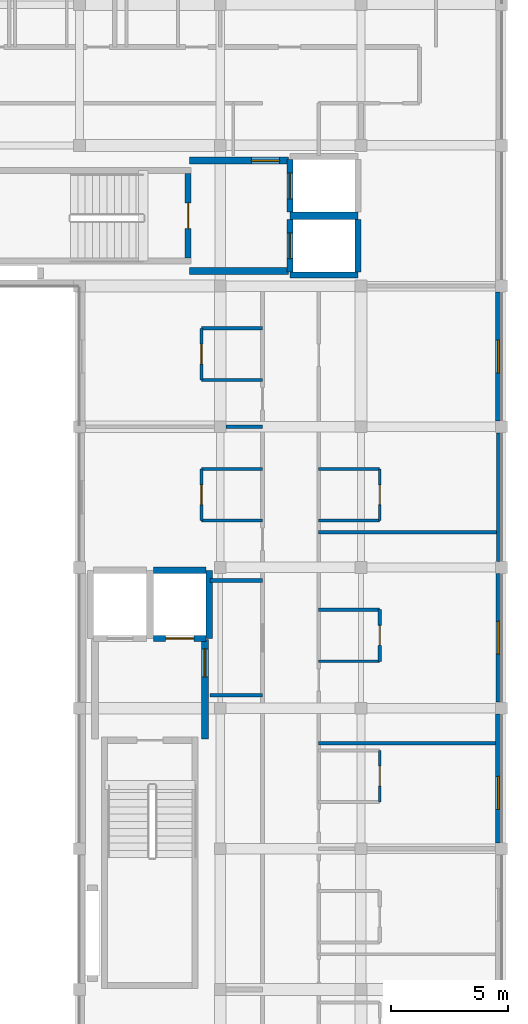
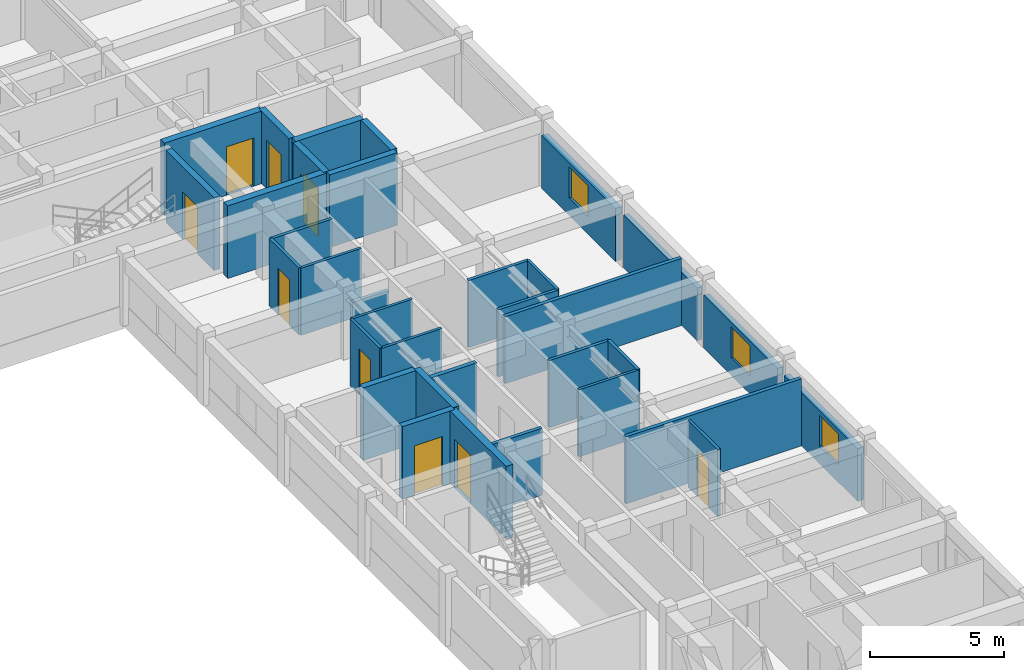
# One storey, part 8 of 14: 34 walls, 11 doors, 3 windows, 14 openings.
"""IFC4 building model written with IfcOpenShell, lengths in metres."""

from ifc_helpers import new_model, si_unit, direction, frame, frame_2d, origin, place, context, subcontext, project, spatial, rectangle, extrude, material, layer, layer_set, type_object, element, fill, save


model = new_model("IFC4")

# Units and contexts
model_context = context("Model", 3, precision=1e-05, world=origin(), true_north=direction((0.0, 1.0)))
body_context = subcontext(model_context, "Body", "Model", "MODEL_VIEW")
ifc_project = project(units=[si_unit("LENGTHUNIT", "METRE"), si_unit("AREAUNIT", "SQUARE_METRE"), si_unit("VOLUMEUNIT", "CUBIC_METRE"), si_unit("PLANEANGLEUNIT", "RADIAN"), si_unit("MASSUNIT", "GRAM", prefix="KILO"), si_unit("THERMODYNAMICTEMPERATUREUNIT", "KELVIN"), si_unit("POWERUNIT", "WATT")], contexts=[model_context])

# Site, building, storey
site_placement = place(None, origin())
site = spatial("IfcSite", under=ifc_project, at=site_placement, CompositionType="ELEMENT")
building_placement = place(site_placement, origin())
building = spatial("IfcBuilding", under=site, at=building_placement, Name="Phaisarnlok Congress Hotel", CompositionType="ELEMENT")
storey_placement = place(building_placement, frame((0.0, 0.0, 48.0)))
storey = spatial("IfcBuildingStorey", under=building, at=storey_placement, Name="L12", CompositionType="ELEMENT", Elevation=48.0)

# Wall
ifc_material_1 = material(Name="Concrete C40/50", Category="concrete")
ifc_layer_1 = layer(ifc_material_1, 0.2099609375, Name="Concrete C40/50")
ifc_layer_set_1 = layer_set([ifc_layer_1], Name="Concrete C40/50")
wall_type_1 = type_object("IfcWallType", Name="WL-EXT-210", PredefinedType="SOLIDWALL", material=ifc_layer_set_1)
wall_1_placement = place(storey_placement, frame((179.89501953125, 96.2548828125, 0.0), z_axis=(0.0, 0.0, 1.0), x_axis=(0.0, 1.0, 0.0)))
element("IfcWall", 1, at=wall_1_placement, inside=storey, type_object=wall_type_1, Name="Exterior wall EW-07 (L12)", PredefinedType="SOLIDWALL", context=body_context, shape_type="SweptSolid", body=[
    extrude(rectangle(XDim=5.490234375, YDim=0.2099609375, at=frame_2d((2.7451171875, 0.0))), origin(), (0.0, 0.0, 1.0), 2.39990234375),
])

# Wall, opening, window
ifc_layer_2 = layer(ifc_material_1, 0.22998046875, Name="Concrete C40/50")
ifc_layer_set_2 = layer_set([ifc_layer_2], Name="Concrete C40/50")
wall_type_2 = type_object("IfcWallType", Name="WL-EXT-230", PredefinedType="SOLIDWALL", material=ifc_layer_set_2)
wall_2_placement = place(storey_placement, frame((179.885009765625, 90.2548828125, 0.0), z_axis=(0.0, 0.0, 1.0), x_axis=(0.0, 1.0, 0.0)))
wall_2 = element("IfcWall", 2, at=wall_2_placement, inside=storey, type_object=wall_type_2, Name="Exterior wall EW-06 (L12)", PredefinedType="SOLIDWALL", context=body_context, shape_type="SweptSolid", body=[
    extrude(rectangle(XDim=5.490234375, YDim=0.22998046875, at=frame_2d((2.7451171875, 0.0))), origin(), (0.0, 0.0, 1.0), 2.39990234375),
])
opening_1_placement = place(wall_2_placement, frame((2.044921875, 0.0, 0.800048828125)))
opening_1 = element("IfcOpeningElement", 3, at=opening_1_placement, cuts=wall_2, Name="Opening W-13", PredefinedType="OPENING", context=body_context, shape_type="SweptSolid", body=[
    extrude(rectangle(XDim=1.39990234375, YDim=1.39990234375, at=frame_2d((0.699951171875, 0.699951171875))), frame((0.0, 0.125, 0.0), z_axis=(0.0, -1.0, 0.0), x_axis=(1.0, 0.0, 0.0)), (0.0, 0.0, 1.0), 0.25),
])
ifc_material_2 = material(Name="Thermally Broken Aluminium & Low-E Double Glazing", Category="aluminium")
window_type = type_object("IfcWindowType", Name="WIN-POD-1400", PartitioningType="SINGLE_PANEL", PredefinedType="WINDOW", material=ifc_material_2)
window_1_placement = place(opening_1_placement, origin())
window_1 = element("IfcWindow", 4, at=window_1_placement, inside=storey, type_object=window_type, Name="Guestroom window W-13 (L12)", OverallHeight=1.39990234375, OverallWidth=1.39990234375, PartitioningType="SINGLE_PANEL", PredefinedType="WINDOW", context=body_context, shape_type="SweptSolid", body=[
    extrude(rectangle(XDim=1.39990234375, YDim=1.39990234375, at=frame_2d((0.699951171875, 0.699951171875))), frame((0.0, 0.030029296875, 0.0), z_axis=(0.0, -1.0, 0.0), x_axis=(1.0, 0.0, 0.0)), (0.0, 0.0, 1.0), 0.06005859375),
])
fill(opening_1, window_1)

ifc_layer_3 = layer(ifc_material_1, 0.25, Name="Concrete C40/50")
ifc_layer_set_3 = layer_set([ifc_layer_3], Name="Concrete C40/50")
wall_type_3 = type_object("IfcWallType", Name="WL-EXT-250", PredefinedType="SOLIDWALL", material=ifc_layer_set_3)
wall_3_placement = place(storey_placement, frame((179.875, 84.2548828125, 0.0), z_axis=(0.0, 0.0, 1.0), x_axis=(0.0, 1.0, 0.0)))
wall_3 = element("IfcWall", 5, at=wall_3_placement, inside=storey, type_object=wall_type_3, Name="Exterior wall EW-05 (L12)", PredefinedType="SOLIDWALL", context=body_context, shape_type="SweptSolid", body=[
    extrude(rectangle(XDim=5.490234375, YDim=0.25, at=frame_2d((2.7451171875, 0.0))), origin(), (0.0, 0.0, 1.0), 2.39990234375),
])
opening_2_placement = place(wall_3_placement, frame((1.431884765625, 0.0, 0.800048828125)))
opening_2 = element("IfcOpeningElement", 6, at=opening_2_placement, cuts=wall_3, Name="Opening W-13", PredefinedType="OPENING", context=body_context, shape_type="SweptSolid", body=[
    extrude(rectangle(XDim=1.39990234375, YDim=1.39990234375, at=frame_2d((0.699951171875, 0.699951171875))), frame((0.0, 0.135009765625, 0.0), z_axis=(0.0, -1.0, 0.0), x_axis=(1.0, 0.0, 0.0)), (0.0, 0.0, 1.0), 0.27001953125),
])
window_2_placement = place(opening_2_placement, origin())
window_2 = element("IfcWindow", 7, at=window_2_placement, inside=storey, type_object=window_type, Name="Guestroom window W-13 (L12)", OverallHeight=1.39990234375, OverallWidth=1.39990234375, PartitioningType="SINGLE_PANEL", PredefinedType="WINDOW", context=body_context, shape_type="SweptSolid", body=[
    extrude(rectangle(XDim=1.39990234375, YDim=1.39990234375, at=frame_2d((0.699951171875, 0.699951171875))), frame((0.0, 0.030029296875, 0.0), z_axis=(0.0, -1.0, 0.0), x_axis=(1.0, 0.0, 0.0)), (0.0, 0.0, 1.0), 0.06005859375),
])
fill(opening_2, window_2)

ifc_layer_4 = layer(ifc_material_1, 0.27001953125, Name="Concrete C40/50")
ifc_layer_set_4 = layer_set([ifc_layer_4], Name="Concrete C40/50")
wall_type_4 = type_object("IfcWallType", Name="WL-EXT-270", PredefinedType="SOLIDWALL", material=ifc_layer_set_4)
wall_4_placement = place(storey_placement, frame((179.864990234375, 102.2548828125, 0.0), z_axis=(0.0, 0.0, 1.0), x_axis=(0.0, 1.0, 0.0)))
wall_4 = element("IfcWall", 8, at=wall_4_placement, inside=storey, type_object=wall_type_4, Name="Exterior wall EW-04 (L12)", PredefinedType="SOLIDWALL", context=body_context, shape_type="SweptSolid", body=[
    extrude(rectangle(XDim=5.490234375, YDim=0.27001953125, at=frame_2d((2.7451171875, 0.0))), origin(), (0.0, 0.0, 1.0), 2.39990234375),
])
opening_3_placement = place(wall_4_placement, frame((2.044921875, 0.0, 0.800048828125)))
opening_3 = element("IfcOpeningElement", 9, at=opening_3_placement, cuts=wall_4, Name="Opening W-13", PredefinedType="OPENING", context=body_context, shape_type="SweptSolid", body=[
    extrude(rectangle(XDim=1.39990234375, YDim=1.39990234375, at=frame_2d((0.699951171875, 0.699951171875))), frame((0.0, 0.14501953125, 0.0), z_axis=(0.0, -1.0, 0.0), x_axis=(1.0, 0.0, 0.0)), (0.0, 0.0, 1.0), 0.2900390625),
])
window_3_placement = place(opening_3_placement, origin())
window_3 = element("IfcWindow", 10, at=window_3_placement, inside=storey, type_object=window_type, Name="Guestroom window W-13 (L12)", OverallHeight=1.39990234375, OverallWidth=1.39990234375, PartitioningType="SINGLE_PANEL", PredefinedType="WINDOW", context=body_context, shape_type="SweptSolid", body=[
    extrude(rectangle(XDim=1.39990234375, YDim=1.39990234375, at=frame_2d((0.699951171875, 0.699951171875))), frame((0.0, 0.030029296875, 0.0), z_axis=(0.0, -1.0, 0.0), x_axis=(1.0, 0.0, 0.0)), (0.0, 0.0, 1.0), 0.06005859375),
])
fill(opening_3, window_3)

# Wall, opening, door
ifc_material_3 = material(Name="Lightweight Metal-Stud Gypsum Partition", Category="gypsum")
ifc_layer_5 = layer(ifc_material_3, 0.1201171875, Name="Lightweight Metal-Stud Gypsum Partition")
ifc_layer_set_5 = layer_set([ifc_layer_5], Name="Lightweight Metal-Stud Gypsum Partition")
wall_type_5 = type_object("IfcWallType", Name="WL-INT-120", PredefinedType="PARTITIONING", material=ifc_layer_set_5)
wall_5_placement = place(storey_placement, frame((167.199951171875, 98.0, 0.0), z_axis=(0.0, 0.0, 1.0), x_axis=(0.0, 1.0, 0.0)))
wall_5 = element("IfcWall", 11, at=wall_5_placement, inside=storey, type_object=wall_type_5, Name="Interior partition wall IW-07 (L12)", PredefinedType="PARTITIONING", context=body_context, shape_type="SweptSolid", body=[
    extrude(rectangle(XDim=2.199951171875, YDim=0.1201171875, at=frame_2d((1.10009765625, 0.0))), origin(), (0.0, 0.0, 1.0), 3.050048828125),
])
opening_4_placement = place(wall_5_placement, frame((0.675048828125, 0.0, 0.0)))
opening_4 = element("IfcOpeningElement", 12, at=opening_4_placement, cuts=wall_5, Name="Opening D-0720", PredefinedType="OPENING", context=body_context, shape_type="SweptSolid", body=[
    extrude(rectangle(XDim=0.85009765625, YDim=2.10009765625, at=frame_2d((0.425048828125, 1.050048828125))), frame((0.0, 0.070068359375, 0.0), z_axis=(0.0, -1.0, 0.0), x_axis=(1.0, 0.0, 0.0)), (0.0, 0.0, 1.0), 0.14013671875),
])
ifc_material_4 = material(Name="Moisture-Resistant Lacquered Timber", Category="wood")
door_type_1 = type_object("IfcDoorType", Name="DR-BATH-850", OperationType="NOTDEFINED", PredefinedType="DOOR", material=ifc_material_4)
door_1_placement = place(opening_4_placement, origin())
door_1 = element("IfcDoor", 13, at=door_1_placement, inside=storey, type_object=door_type_1, Name="Interior door D-0720 (L12)", OperationType="SINGLE_SWING_LEFT", OverallHeight=2.10009765625, OverallWidth=0.85009765625, PredefinedType="DOOR", context=body_context, shape_type="SweptSolid", body=[
    extrude(rectangle(XDim=0.85009765625, YDim=2.10009765625, at=frame_2d((0.425048828125, 1.050048828125))), frame((0.0, 0.02490234375, 0.0), z_axis=(0.0, -1.0, 0.0), x_axis=(1.0, 0.0, 0.0)), (0.0, 0.0, 1.0), 0.050048828125),
])
fill(opening_4, door_1)

wall_6_placement = place(storey_placement, frame((174.800048828125, 86.0, 0.0), z_axis=(0.0, 0.0, 1.0), x_axis=(0.0, 1.0, 0.0)))
wall_6 = element("IfcWall", 14, at=wall_6_placement, inside=storey, type_object=wall_type_5, Name="Interior partition wall IW-07 (L12)", PredefinedType="PARTITIONING", context=body_context, shape_type="SweptSolid", body=[
    extrude(rectangle(XDim=2.199951171875, YDim=0.1201171875, at=frame_2d((1.10009765625, 0.0))), origin(), (0.0, 0.0, 1.0), 3.050048828125),
])
opening_5_placement = place(wall_6_placement, frame((0.675048828125, 0.0, 0.0)))
opening_5 = element("IfcOpeningElement", 15, at=opening_5_placement, cuts=wall_6, Name="Opening D-0709", PredefinedType="OPENING", context=body_context, shape_type="SweptSolid", body=[
    extrude(rectangle(XDim=0.85009765625, YDim=2.10009765625, at=frame_2d((0.425048828125, 1.050048828125))), frame((0.0, 0.070068359375, 0.0), z_axis=(0.0, -1.0, 0.0), x_axis=(1.0, 0.0, 0.0)), (0.0, 0.0, 1.0), 0.14013671875),
])
door_2_placement = place(opening_5_placement, origin())
door_2 = element("IfcDoor", 16, at=door_2_placement, inside=storey, type_object=door_type_1, Name="Interior door D-0709 (L12)", OperationType="SINGLE_SWING_RIGHT", OverallHeight=2.10009765625, OverallWidth=0.85009765625, PredefinedType="DOOR", context=body_context, shape_type="SweptSolid", body=[
    extrude(rectangle(XDim=0.85009765625, YDim=2.10009765625, at=frame_2d((0.425048828125, 1.050048828125))), frame((0.0, 0.02490234375, 0.0), z_axis=(0.0, -1.0, 0.0), x_axis=(1.0, 0.0, 0.0)), (0.0, 0.0, 1.0), 0.050048828125),
])
fill(opening_5, door_2)

wall_7_placement = place(storey_placement, frame((174.800048828125, 98.0, 0.0), z_axis=(0.0, 0.0, 1.0), x_axis=(0.0, 1.0, 0.0)))
wall_7 = element("IfcWall", 17, at=wall_7_placement, inside=storey, type_object=wall_type_5, Name="Interior partition wall IW-07 (L12)", PredefinedType="PARTITIONING", context=body_context, shape_type="SweptSolid", body=[
    extrude(rectangle(XDim=2.199951171875, YDim=0.1201171875, at=frame_2d((1.10009765625, 0.0))), origin(), (0.0, 0.0, 1.0), 3.050048828125),
])
opening_6_placement = place(wall_7_placement, frame((0.675048828125, 0.0, 0.0)))
opening_6 = element("IfcOpeningElement", 18, at=opening_6_placement, cuts=wall_7, Name="Opening D-0713", PredefinedType="OPENING", context=body_context, shape_type="SweptSolid", body=[
    extrude(rectangle(XDim=0.85009765625, YDim=2.10009765625, at=frame_2d((0.425048828125, 1.050048828125))), frame((0.0, 0.070068359375, 0.0), z_axis=(0.0, -1.0, 0.0), x_axis=(1.0, 0.0, 0.0)), (0.0, 0.0, 1.0), 0.14013671875),
])
door_3_placement = place(opening_6_placement, origin())
door_3 = element("IfcDoor", 19, at=door_3_placement, inside=storey, type_object=door_type_1, Name="Interior door D-0713 (L12)", OperationType="SINGLE_SWING_RIGHT", OverallHeight=2.10009765625, OverallWidth=0.85009765625, PredefinedType="DOOR", context=body_context, shape_type="SweptSolid", body=[
    extrude(rectangle(XDim=0.85009765625, YDim=2.10009765625, at=frame_2d((0.425048828125, 1.050048828125))), frame((0.0, 0.02490234375, 0.0), z_axis=(0.0, -1.0, 0.0), x_axis=(1.0, 0.0, 0.0)), (0.0, 0.0, 1.0), 0.050048828125),
])
fill(opening_6, door_3)

# Walls
for number, where, z_axis, x_axis, name in (
    (20, (172.199951171875, 92.0, 0.0), (0.0, 0.0, 1.0), (1.0, 0.0, 0.0), "Interior partition wall IW-07 (L12)"),
    (21, (167.199951171875, 98.0, 0.0), (0.0, 0.0, 1.0), (1.0, 0.0, 0.0), "Interior partition wall IW-07 (L12)"),
    (22, (167.199951171875, 100.199951171875, 0.0), (0.0, 0.0, 1.0), (1.0, 0.0, 0.0), "Interior partition wall IW-07 (L12)"),
    (23, (167.199951171875, 104.0, 0.0), (0.0, 0.0, 1.0), (1.0, 0.0, 0.0), "Interior partition wall IW-07 (L12)"),
):
    element("IfcWall", number, at=place(storey_placement, frame(where, z_axis=z_axis, x_axis=x_axis)), inside=storey, type_object=wall_type_5, Name=name, PredefinedType="PARTITIONING", context=body_context, shape_type="SweptSolid", body=[
        extrude(rectangle(XDim=2.60009765625, YDim=0.1201171875, at=frame_2d((1.300048828125, 0.0))), origin(), (0.0, 0.0, 1.0), 3.050048828125),
    ])

# Wall, opening, door
ifc_material_5 = material(Name="Moisture-Resistant Gypsum Partition", Category="gypsum")
ifc_layer_6 = layer(ifc_material_5, 0.135009765625, Name="Moisture-Resistant Gypsum Partition")
ifc_layer_set_6 = layer_set([ifc_layer_6], Name="Moisture-Resistant Gypsum Partition")
wall_type_6 = type_object("IfcWallType", Name="WL-INT-135", PredefinedType="PARTITIONING", material=ifc_layer_set_6)
wall_8_placement = place(storey_placement, frame((167.199951171875, 104.0, 0.0), z_axis=(0.0, 0.0, 1.0), x_axis=(0.0, 1.0, 0.0)))
wall_8 = element("IfcWall", 24, at=wall_8_placement, inside=storey, type_object=wall_type_6, Name="Interior partition wall IW-06 (L12)", PredefinedType="PARTITIONING", context=body_context, shape_type="SweptSolid", body=[
    extrude(rectangle(XDim=2.199951171875, YDim=0.135009765625, at=frame_2d((1.10009765625, 0.0))), origin(), (0.0, 0.0, 1.0), 3.050048828125),
])
opening_7_placement = place(wall_8_placement, frame((0.675048828125, 0.0, 0.0)))
opening_7 = element("IfcOpeningElement", 25, at=opening_7_placement, cuts=wall_8, Name="Opening D-0722", PredefinedType="OPENING", context=body_context, shape_type="SweptSolid", body=[
    extrude(rectangle(XDim=0.85009765625, YDim=2.10009765625, at=frame_2d((0.425048828125, 1.050048828125))), frame((0.0, 0.07763671875, 0.0), z_axis=(0.0, -1.0, 0.0), x_axis=(1.0, 0.0, 0.0)), (0.0, 0.0, 1.0), 0.155029296875),
])
door_4_placement = place(opening_7_placement, origin())
door_4 = element("IfcDoor", 26, at=door_4_placement, inside=storey, type_object=door_type_1, Name="Interior door D-0722 (L12)", OperationType="SINGLE_SWING_LEFT", OverallHeight=2.10009765625, OverallWidth=0.85009765625, PredefinedType="DOOR", context=body_context, shape_type="SweptSolid", body=[
    extrude(rectangle(XDim=0.85009765625, YDim=2.10009765625, at=frame_2d((0.425048828125, 1.050048828125))), frame((0.0, 0.02490234375, 0.0), z_axis=(0.0, -1.0, 0.0), x_axis=(1.0, 0.0, 0.0)), (0.0, 0.0, 1.0), 0.050048828125),
])
fill(opening_7, door_4)

wall_9_placement = place(storey_placement, frame((174.800048828125, 92.0, 0.0), z_axis=(0.0, 0.0, 1.0), x_axis=(0.0, 1.0, 0.0)))
wall_9 = element("IfcWall", 27, at=wall_9_placement, inside=storey, type_object=wall_type_6, Name="Interior partition wall IW-06 (L12)", PredefinedType="PARTITIONING", context=body_context, shape_type="SweptSolid", body=[
    extrude(rectangle(XDim=2.199951171875, YDim=0.135009765625, at=frame_2d((1.10009765625, 0.0))), origin(), (0.0, 0.0, 1.0), 3.050048828125),
])
opening_8_placement = place(wall_9_placement, frame((0.675048828125, 0.0, 0.0)))
opening_8 = element("IfcOpeningElement", 28, at=opening_8_placement, cuts=wall_9, Name="Opening D-0711", PredefinedType="OPENING", context=body_context, shape_type="SweptSolid", body=[
    extrude(rectangle(XDim=0.85009765625, YDim=2.10009765625, at=frame_2d((0.425048828125, 1.050048828125))), frame((0.0, 0.07763671875, 0.0), z_axis=(0.0, -1.0, 0.0), x_axis=(1.0, 0.0, 0.0)), (0.0, 0.0, 1.0), 0.155029296875),
])
door_5_placement = place(opening_8_placement, origin())
door_5 = element("IfcDoor", 29, at=door_5_placement, inside=storey, type_object=door_type_1, Name="Interior door D-0711 (L12)", OperationType="SINGLE_SWING_RIGHT", OverallHeight=2.10009765625, OverallWidth=0.85009765625, PredefinedType="DOOR", context=body_context, shape_type="SweptSolid", body=[
    extrude(rectangle(XDim=0.85009765625, YDim=2.10009765625, at=frame_2d((0.425048828125, 1.050048828125))), frame((0.0, 0.02490234375, 0.0), z_axis=(0.0, -1.0, 0.0), x_axis=(1.0, 0.0, 0.0)), (0.0, 0.0, 1.0), 0.050048828125),
])
fill(opening_8, door_5)

# Walls
for number, where, z_axis, x_axis, name in (
    (30, (172.199951171875, 94.199951171875, 0.0), (0.0, 0.0, 1.0), (1.0, 0.0, 0.0), "Interior partition wall IW-06 (L12)"),
    (31, (172.199951171875, 98.0, 0.0), (0.0, 0.0, 1.0), (1.0, 0.0, 0.0), "Interior partition wall IW-06 (L12)"),
    (32, (172.199951171875, 100.199951171875, 0.0), (0.0, 0.0, 1.0), (1.0, 0.0, 0.0), "Interior partition wall IW-06 (L12)"),
    (33, (167.199951171875, 106.199951171875, 0.0), (0.0, 0.0, 1.0), (1.0, 0.0, 0.0), "Interior partition wall IW-06 (L12)"),
):
    element("IfcWall", number, at=place(storey_placement, frame(where, z_axis=z_axis, x_axis=x_axis)), inside=storey, type_object=wall_type_6, Name=name, PredefinedType="PARTITIONING", context=body_context, shape_type="SweptSolid", body=[
        extrude(rectangle(XDim=2.60009765625, YDim=0.135009765625, at=frame_2d((1.300048828125, 0.0))), origin(), (0.0, 0.0, 1.0), 3.050048828125),
    ])
ifc_material_6 = material(Name="Acoustic Gypsum Board & Mineral Wool", Category="gypsum")
ifc_layer_7 = layer(ifc_material_6, 0.14990234375, Name="Acoustic Gypsum Board & Mineral Wool")
ifc_layer_set_7 = layer_set([ifc_layer_7], Name="Acoustic Gypsum Board & Mineral Wool")
wall_type_7 = type_object("IfcWallType", Name="WL-INT-150", PredefinedType="PARTITIONING", material=ifc_layer_set_7)
wall_10_placement = place(storey_placement, frame((167.56005859375, 90.550048828125, 0.0), z_axis=(0.0, 0.0, 1.0), x_axis=(1.0, 0.0, 0.0)))
element("IfcWall", 34, at=wall_10_placement, inside=storey, type_object=wall_type_7, Name="Interior partition wall IW-05 (L12)", PredefinedType="PARTITIONING", context=body_context, shape_type="SweptSolid", body=[
    extrude(rectangle(XDim=2.239990234375, YDim=0.14990234375, at=frame_2d((1.1201171875, 0.0))), origin(), (0.0, 0.0, 1.0), 3.050048828125),
])
wall_11_placement = place(storey_placement, frame((168.2548828125, 102.0, 0.0), z_axis=(0.0, 0.0, 1.0), x_axis=(1.0, 0.0, 0.0)))
element("IfcWall", 35, at=wall_11_placement, inside=storey, type_object=wall_type_7, Name="Interior partition wall IW-05 (L12)", PredefinedType="PARTITIONING", context=body_context, shape_type="SweptSolid", body=[
    extrude(rectangle(XDim=1.545166015625, YDim=0.14990234375, at=frame_2d((0.7724609375, 0.0))), origin(), (0.0, 0.0, 1.0), 2.35009765625),
])
ifc_material_7 = material(Name="Double-Stud Acoustic Gypsum Partition", Category="gypsum")
ifc_layer_8 = layer(ifc_material_7, 0.159912109375, Name="Double-Stud Acoustic Gypsum Partition")
ifc_layer_set_8 = layer_set([ifc_layer_8], Name="Double-Stud Acoustic Gypsum Partition")
wall_type_8 = type_object("IfcWallType", Name="WL-INT-160", PredefinedType="PARTITIONING", material=ifc_layer_set_8)
wall_12_placement = place(storey_placement, frame((172.199951171875, 88.5, 0.0), z_axis=(0.0, 0.0, 1.0), x_axis=(1.0, 0.0, 0.0)))
element("IfcWall", 36, at=wall_12_placement, inside=storey, type_object=wall_type_8, Name="Interior partition wall IW-04 (L12)", PredefinedType="PARTITIONING", context=body_context, shape_type="SweptSolid", body=[
    extrude(rectangle(XDim=7.545166015625, YDim=0.159912109375, at=frame_2d((3.7724609375, 0.0))), origin(), (0.0, 0.0, 1.0), 3.050048828125),
])
wall_13_placement = place(storey_placement, frame((172.199951171875, 97.5, 0.0), z_axis=(0.0, 0.0, 1.0), x_axis=(1.0, 0.0, 0.0)))
element("IfcWall", 37, at=wall_13_placement, inside=storey, type_object=wall_type_8, Name="Interior partition wall IW-04 (L12)", PredefinedType="PARTITIONING", context=body_context, shape_type="SweptSolid", body=[
    extrude(rectangle(XDim=7.5849609375, YDim=0.159912109375, at=frame_2d((3.79248046875, 0.0))), origin(), (0.0, 0.0, 1.0), 3.050048828125),
])
ifc_material_8 = material(Name="Autoclaved Aerated Concrete Block", Category="concrete")
ifc_layer_9 = layer(ifc_material_8, 0.179931640625, Name="Autoclaved Aerated Concrete Block")
ifc_layer_set_9 = layer_set([ifc_layer_9], Name="Autoclaved Aerated Concrete Block")
wall_type_9 = type_object("IfcWallType", Name="WL-INT-180", PredefinedType="PARTITIONING", material=ifc_layer_set_9)
wall_14_placement = place(storey_placement, frame((167.56005859375, 95.449951171875, 0.0), z_axis=(0.0, 0.0, 1.0), x_axis=(1.0, 0.0, 0.0)))
element("IfcWall", 38, at=wall_14_placement, inside=storey, type_object=wall_type_9, Name="Interior partition wall IW-03 (L12)", PredefinedType="PARTITIONING", context=body_context, shape_type="SweptSolid", body=[
    extrude(rectangle(XDim=2.239990234375, YDim=0.179931640625, at=frame_2d((1.1201171875, 0.0))), origin(), (0.0, 0.0, 1.0), 3.050048828125),
])

# Wall, opening, door
ifc_material_9 = material(Name="Concrete C50/60", Category="concrete")
ifc_layer_10 = layer(ifc_material_9, 0.260009765625, Name="Concrete C50/60")
ifc_layer_set_10 = layer_set([ifc_layer_10], Name="Concrete C50/60")
wall_type_10 = type_object("IfcWallType", Name="WL-SHR-260", PredefinedType="SHEAR", material=ifc_layer_set_10)
wall_15_placement = place(storey_placement, frame((166.6298828125, 109.199951171875, 0.0), z_axis=(0.0, 0.0, 1.0), x_axis=(0.0, 1.0, 0.0)))
wall_15 = element("IfcWall", 39, at=wall_15_placement, inside=storey, type_object=wall_type_10, Name="Stair shaft shear wall SW-04 (CORE-1 L12)", PredefinedType="SHEAR", context=body_context, shape_type="SweptSolid", body=[
    extrude(rectangle(XDim=3.60009765625, YDim=0.260009765625, at=frame_2d((1.800048828125, 0.0))), origin(), (0.0, 0.0, 1.0), 3.300048828125),
])
opening_9_placement = place(wall_15_placement, frame((1.25, 0.0, 0.0)))
opening_9 = element("IfcOpeningElement", 40, at=opening_9_placement, cuts=wall_15, Name="Opening FD-014", PredefinedType="OPENING", context=body_context, shape_type="SweptSolid", body=[
    extrude(rectangle(XDim=1.10009765625, YDim=2.14990234375, at=frame_2d((0.550048828125, 1.074951171875))), frame((0.0, 0.14013671875, 0.0), z_axis=(0.0, -1.0, 0.0), x_axis=(1.0, 0.0, 0.0)), (0.0, 0.0, 1.0), 0.280029296875),
])
ifc_material_10 = material(Name="Fire-Rated Steel Frame & Timber Leaf", Category="steel")
door_type_2 = type_object("IfcDoorType", Name="DR-FD60-1100", OperationType="NOTDEFINED", PredefinedType="DOOR", material=ifc_material_10)
door_6_placement = place(opening_9_placement, origin())
door_6 = element("IfcDoor", 41, at=door_6_placement, inside=storey, type_object=door_type_2, Name="Stair enclosure fire door FD-014 (L12)", OperationType="SINGLE_SWING_LEFT", OverallHeight=2.14990234375, OverallWidth=1.10009765625, PredefinedType="DOOR", context=body_context, shape_type="SweptSolid", body=[
    extrude(rectangle(XDim=1.10009765625, YDim=2.14990234375, at=frame_2d((0.550048828125, 1.074951171875))), frame((0.0, 0.02490234375, 0.0), z_axis=(0.0, -1.0, 0.0), x_axis=(1.0, 0.0, 0.0)), (0.0, 0.0, 1.0), 0.050048828125),
])
fill(opening_9, door_6)

# Walls
wall_16_placement = place(storey_placement, frame((170.969970703125, 108.469970703125, 0.0), z_axis=(0.0, 0.0, 1.0), x_axis=(1.0, 0.0, 0.0)))
element("IfcWall", 42, at=wall_16_placement, inside=storey, type_object=wall_type_10, Name="Lift shaft shear wall SW-04 (LF-FF1 L12)", PredefinedType="SHEAR", context=body_context, shape_type="SweptSolid", body=[
    extrude(rectangle(XDim=2.909912109375, YDim=0.260009765625, at=frame_2d((1.455078125, 0.0))), origin(), (0.0, 0.0, 1.0), 3.300048828125),
])
wall_17_placement = place(storey_placement, frame((173.8798828125, 108.60009765625, 0.0), z_axis=(0.0, 0.0, 1.0), x_axis=(0.0, 1.0, 0.0)))
element("IfcWall", 43, at=wall_17_placement, inside=storey, type_object=wall_type_10, Name="Lift shaft shear wall SW-04 (LF-FF1 L12)", PredefinedType="SHEAR", context=body_context, shape_type="SweptSolid", body=[
    extrude(rectangle(XDim=2.25, YDim=0.260009765625, at=frame_2d((1.125, 0.0))), origin(), (0.0, 0.0, 1.0), 3.300048828125),
])

# Wall, opening, door
wall_18_placement = place(storey_placement, frame((170.969970703125, 108.60009765625, 0.0), z_axis=(0.0, 0.0, 1.0), x_axis=(0.0, 1.0, 0.0)))
wall_18 = element("IfcWall", 44, at=wall_18_placement, inside=storey, type_object=wall_type_10, Name="Lift shaft front wall SW-04 (LF-FF1 L12)", PredefinedType="SHEAR", context=body_context, shape_type="SweptSolid", body=[
    extrude(rectangle(XDim=2.25, YDim=0.260009765625, at=frame_2d((1.125, 0.0))), origin(), (0.0, 0.0, 1.0), 3.300048828125),
])
opening_10_placement = place(wall_18_placement, frame((0.574951171875, 0.0, 0.0)))
opening_10 = element("IfcOpeningElement", 45, at=opening_10_placement, cuts=wall_18, Name="Opening LD-014", PredefinedType="OPENING", context=body_context, shape_type="SweptSolid", body=[
    extrude(rectangle(XDim=1.10009765625, YDim=2.199951171875, at=frame_2d((0.550048828125, 1.10009765625))), frame((0.0, 0.14013671875, 0.0), z_axis=(0.0, -1.0, 0.0), x_axis=(1.0, 0.0, 0.0)), (0.0, 0.0, 1.0), 0.280029296875),
])
ifc_material_11 = material(Name="Brushed Stainless Steel Grade 304", Category="steel")
door_type_3 = type_object("IfcDoorType", Name="DR-LD-1100", OperationType="DOUBLE_DOOR_SLIDING", PredefinedType="DOOR", material=ifc_material_11)
door_7_placement = place(opening_10_placement, origin())
door_7 = element("IfcDoor", 46, at=door_7_placement, inside=storey, type_object=door_type_3, Name="Lift landing sliding door LD-014 (LF-FF1 L12)", OperationType="DOUBLE_DOOR_SLIDING", OverallHeight=2.199951171875, OverallWidth=1.10009765625, PredefinedType="DOOR", context=body_context, shape_type="SweptSolid", body=[
    extrude(rectangle(XDim=1.10009765625, YDim=2.199951171875, at=frame_2d((0.550048828125, 1.10009765625))), frame((0.0, 0.02490234375, 0.0), z_axis=(0.0, -1.0, 0.0), x_axis=(1.0, 0.0, 0.0)), (0.0, 0.0, 1.0), 0.050048828125),
])
fill(opening_10, door_7)

wall_19_placement = place(storey_placement, frame((170.969970703125, 111.14990234375, 0.0), z_axis=(0.0, 0.0, 1.0), x_axis=(0.0, 1.0, 0.0)))
wall_19 = element("IfcWall", 47, at=wall_19_placement, inside=storey, type_object=wall_type_10, Name="Lift shaft front wall SW-04 (LF-HP1 L12)", PredefinedType="SHEAR", context=body_context, shape_type="SweptSolid", body=[
    extrude(rectangle(XDim=2.25, YDim=0.260009765625, at=frame_2d((1.125, 0.0))), origin(), (0.0, 0.0, 1.0), 3.300048828125),
])
opening_11_placement = place(wall_19_placement, frame((0.574951171875, 0.0, 0.0)))
opening_11 = element("IfcOpeningElement", 48, at=opening_11_placement, cuts=wall_19, Name="Opening LD-029", PredefinedType="OPENING", context=body_context, shape_type="SweptSolid", body=[
    extrude(rectangle(XDim=1.10009765625, YDim=2.199951171875, at=frame_2d((0.550048828125, 1.10009765625))), frame((0.0, 0.14013671875, 0.0), z_axis=(0.0, -1.0, 0.0), x_axis=(1.0, 0.0, 0.0)), (0.0, 0.0, 1.0), 0.280029296875),
])
door_8_placement = place(opening_11_placement, origin())
door_8 = element("IfcDoor", 49, at=door_8_placement, inside=storey, type_object=door_type_3, Name="Lift landing sliding door LD-029 (LF-HP1 L12)", OperationType="DOUBLE_DOOR_SLIDING", OverallHeight=2.199951171875, OverallWidth=1.10009765625, PredefinedType="DOOR", context=body_context, shape_type="SweptSolid", body=[
    extrude(rectangle(XDim=1.10009765625, YDim=2.199951171875, at=frame_2d((0.550048828125, 1.10009765625))), frame((0.0, 0.02490234375, 0.0), z_axis=(0.0, -1.0, 0.0), x_axis=(1.0, 0.0, 0.0)), (0.0, 0.0, 1.0), 0.050048828125),
])
fill(opening_11, door_8)

# Walls
wall_20_placement = place(storey_placement, frame((167.530029296875, 92.969970703125, 0.0), z_axis=(0.0, 0.0, 1.0), x_axis=(0.0, 1.0, 0.0)))
element("IfcWall", 50, at=wall_20_placement, inside=storey, type_object=wall_type_10, Name="Lift shaft shear wall SW-04 (LF-SV1 L12)", PredefinedType="SHEAR", context=body_context, shape_type="SweptSolid", body=[
    extrude(rectangle(XDim=2.909912109375, YDim=0.260009765625, at=frame_2d((1.455078125, 0.0))), origin(), (0.0, 0.0, 1.0), 3.300048828125),
])
wall_21_placement = place(storey_placement, frame((165.14990234375, 95.8798828125, 0.0), z_axis=(0.0, 0.0, 1.0), x_axis=(1.0, 0.0, 0.0)))
element("IfcWall", 51, at=wall_21_placement, inside=storey, type_object=wall_type_10, Name="Lift shaft shear wall SW-04 (LF-SV1 L12)", PredefinedType="SHEAR", context=body_context, shape_type="SweptSolid", body=[
    extrude(rectangle(XDim=2.25, YDim=0.260009765625, at=frame_2d((1.125, 0.0))), origin(), (0.0, 0.0, 1.0), 3.300048828125),
])

# Wall, opening, door
wall_22_placement = place(storey_placement, frame((165.14990234375, 92.969970703125, 0.0), z_axis=(0.0, 0.0, 1.0), x_axis=(1.0, 0.0, 0.0)))
wall_22 = element("IfcWall", 52, at=wall_22_placement, inside=storey, type_object=wall_type_10, Name="Lift shaft front wall SW-04 (LF-SV1 L12)", PredefinedType="SHEAR", context=body_context, shape_type="SweptSolid", body=[
    extrude(rectangle(XDim=2.25, YDim=0.260009765625, at=frame_2d((1.125, 0.0))), origin(), (0.0, 0.0, 1.0), 3.300048828125),
])
opening_12_placement = place(wall_22_placement, frame((0.52490234375, 0.0, 0.0)))
opening_12 = element("IfcOpeningElement", 53, at=opening_12_placement, cuts=wall_22, Name="Opening LD-089", PredefinedType="OPENING", context=body_context, shape_type="SweptSolid", body=[
    extrude(rectangle(XDim=1.199951171875, YDim=2.25, at=frame_2d((0.60009765625, 1.125))), frame((0.0, 0.14013671875, 0.0), z_axis=(0.0, -1.0, 0.0), x_axis=(1.0, 0.0, 0.0)), (0.0, 0.0, 1.0), 0.280029296875),
])
door_type_4 = type_object("IfcDoorType", Name="DR-LD-1200", OperationType="DOUBLE_DOOR_SLIDING", PredefinedType="DOOR", material=ifc_material_11)
door_9_placement = place(opening_12_placement, origin())
door_9 = element("IfcDoor", 54, at=door_9_placement, inside=storey, type_object=door_type_4, Name="Lift landing sliding door LD-089 (LF-SV1 L12)", OperationType="DOUBLE_DOOR_SLIDING", OverallHeight=2.25, OverallWidth=1.199951171875, PredefinedType="DOOR", context=body_context, shape_type="SweptSolid", body=[
    extrude(rectangle(XDim=1.199951171875, YDim=2.25, at=frame_2d((0.60009765625, 1.125))), frame((0.0, 0.02490234375, 0.0), z_axis=(0.0, -1.0, 0.0), x_axis=(1.0, 0.0, 0.0)), (0.0, 0.0, 1.0), 0.050048828125),
])
fill(opening_12, door_9)

# Wall
ifc_layer_11 = layer(ifc_material_9, 0.300048828125, Name="Concrete C50/60")
ifc_layer_set_11 = layer_set([ifc_layer_11], Name="Concrete C50/60")
wall_type_11 = type_object("IfcWallType", Name="WL-SHR-300", PredefinedType="SHEAR", material=ifc_layer_set_11)
wall_23_placement = place(storey_placement, frame((170.969970703125, 111.0, 0.0), z_axis=(0.0, 0.0, 1.0), x_axis=(1.0, 0.0, 0.0)))
element("IfcWall", 55, at=wall_23_placement, inside=storey, type_object=wall_type_11, Name="Lift shaft divider shear wall SW-03 (LF-FF1 L12)", PredefinedType="SHEAR", context=body_context, shape_type="SweptSolid", body=[
    extrude(rectangle(XDim=2.909912109375, YDim=0.300048828125, at=frame_2d((1.455078125, 0.0))), origin(), (0.0, 0.0, 1.0), 3.300048828125),
])

# Wall, opening, door
wall_24_placement = place(storey_placement, frame((166.679931640625, 113.35009765625, 0.0), z_axis=(0.0, 0.0, 1.0), x_axis=(1.0, 0.0, 0.0)))
wall_24 = element("IfcWall", 56, at=wall_24_placement, inside=storey, type_object=wall_type_11, Name="Core lobby EI-120 wall SW-03 (CORE-1 L12)", PredefinedType="SHEAR", context=body_context, shape_type="SweptSolid", body=[
    extrude(rectangle(XDim=4.239990234375, YDim=0.300048828125, at=frame_2d((2.1201171875, 0.0))), origin(), (0.0, 0.0, 1.0), 3.300048828125),
])
opening_13_placement = place(wall_24_placement, frame((2.64990234375, 0.0, 0.0)))
opening_13 = element("IfcOpeningElement", 57, at=opening_13_placement, cuts=wall_24, Name="Opening FD-029", PredefinedType="OPENING", context=body_context, shape_type="SweptSolid", body=[
    extrude(rectangle(XDim=1.199951171875, YDim=2.199951171875, at=frame_2d((0.60009765625, 1.10009765625))), frame((0.0, 0.16015625, 0.0), z_axis=(0.0, -1.0, 0.0), x_axis=(1.0, 0.0, 0.0)), (0.0, 0.0, 1.0), 0.320068359375),
])
door_type_5 = type_object("IfcDoorType", Name="DR-FD60-1200", OperationType="NOTDEFINED", PredefinedType="DOOR", material=ifc_material_10)
door_10_placement = place(opening_13_placement, origin())
door_10 = element("IfcDoor", 58, at=door_10_placement, inside=storey, type_object=door_type_5, Name="Firefighting lobby entrance door FD-029 (CORE-1 L12)", OperationType="SINGLE_SWING_RIGHT", OverallHeight=2.199951171875, OverallWidth=1.199951171875, PredefinedType="DOOR", context=body_context, shape_type="SweptSolid", body=[
    extrude(rectangle(XDim=1.199951171875, YDim=2.199951171875, at=frame_2d((0.60009765625, 1.10009765625))), frame((0.0, 0.02490234375, 0.0), z_axis=(0.0, -1.0, 0.0), x_axis=(1.0, 0.0, 0.0)), (0.0, 0.0, 1.0), 0.050048828125),
])
fill(opening_13, door_10)

# Wall
wall_25_placement = place(storey_placement, frame((166.679931640625, 108.64990234375, 0.0), z_axis=(0.0, 0.0, 1.0), x_axis=(1.0, 0.0, 0.0)))
element("IfcWall", 59, at=wall_25_placement, inside=storey, type_object=wall_type_11, Name="Core lobby EI-120 wall SW-03 (CORE-1 L12)", PredefinedType="SHEAR", context=body_context, shape_type="SweptSolid", body=[
    extrude(rectangle(XDim=4.239990234375, YDim=0.300048828125, at=frame_2d((2.1201171875, 0.0))), origin(), (0.0, 0.0, 1.0), 3.300048828125),
])

# Wall, opening, door
wall_26_placement = place(storey_placement, frame((167.35009765625, 88.679931640625, 0.0), z_axis=(0.0, 0.0, 1.0), x_axis=(0.0, 1.0, 0.0)))
wall_26 = element("IfcWall", 60, at=wall_26_placement, inside=storey, type_object=wall_type_11, Name="Core lobby EI-120 wall SW-03 (CORE-3 L12)", PredefinedType="SHEAR", context=body_context, shape_type="SweptSolid", body=[
    extrude(rectangle(XDim=4.239990234375, YDim=0.300048828125, at=frame_2d((2.1201171875, 0.0))), origin(), (0.0, 0.0, 1.0), 3.300048828125),
])
opening_14_placement = place(wall_26_placement, frame((2.64990234375, 0.0, 0.0)))
opening_14 = element("IfcOpeningElement", 61, at=opening_14_placement, cuts=wall_26, Name="Opening FD-089", PredefinedType="OPENING", context=body_context, shape_type="SweptSolid", body=[
    extrude(rectangle(XDim=1.199951171875, YDim=2.199951171875, at=frame_2d((0.60009765625, 1.10009765625))), frame((0.0, 0.16015625, 0.0), z_axis=(0.0, -1.0, 0.0), x_axis=(1.0, 0.0, 0.0)), (0.0, 0.0, 1.0), 0.320068359375),
])
door_11_placement = place(opening_14_placement, origin())
door_11 = element("IfcDoor", 62, at=door_11_placement, inside=storey, type_object=door_type_5, Name="Core lobby entrance door FD-089 (CORE-3 L12)", OperationType="SINGLE_SWING_RIGHT", OverallHeight=2.199951171875, OverallWidth=1.199951171875, PredefinedType="DOOR", context=body_context, shape_type="SweptSolid", body=[
    extrude(rectangle(XDim=1.199951171875, YDim=2.199951171875, at=frame_2d((0.60009765625, 1.10009765625))), frame((0.0, 0.02490234375, 0.0), z_axis=(0.0, -1.0, 0.0), x_axis=(1.0, 0.0, 0.0)), (0.0, 0.0, 1.0), 0.050048828125),
])
fill(opening_14, door_11)

save(model, "model.ifc")
